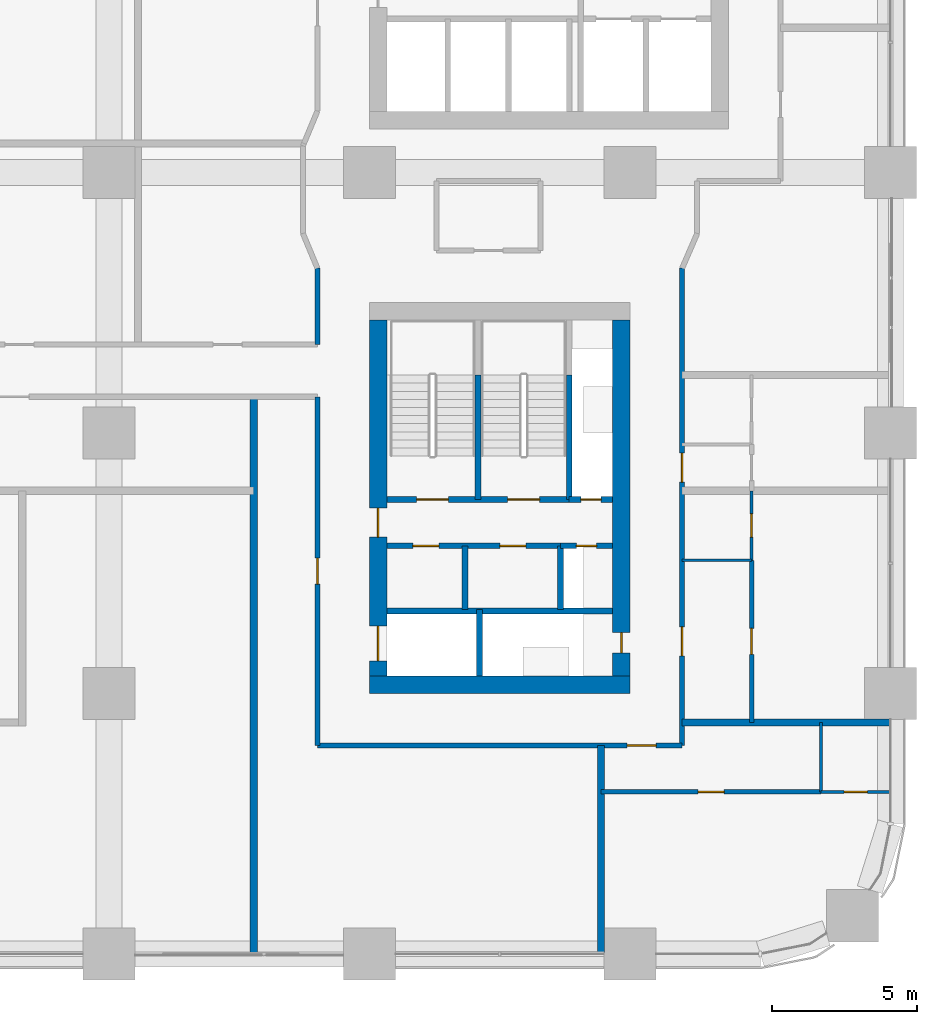
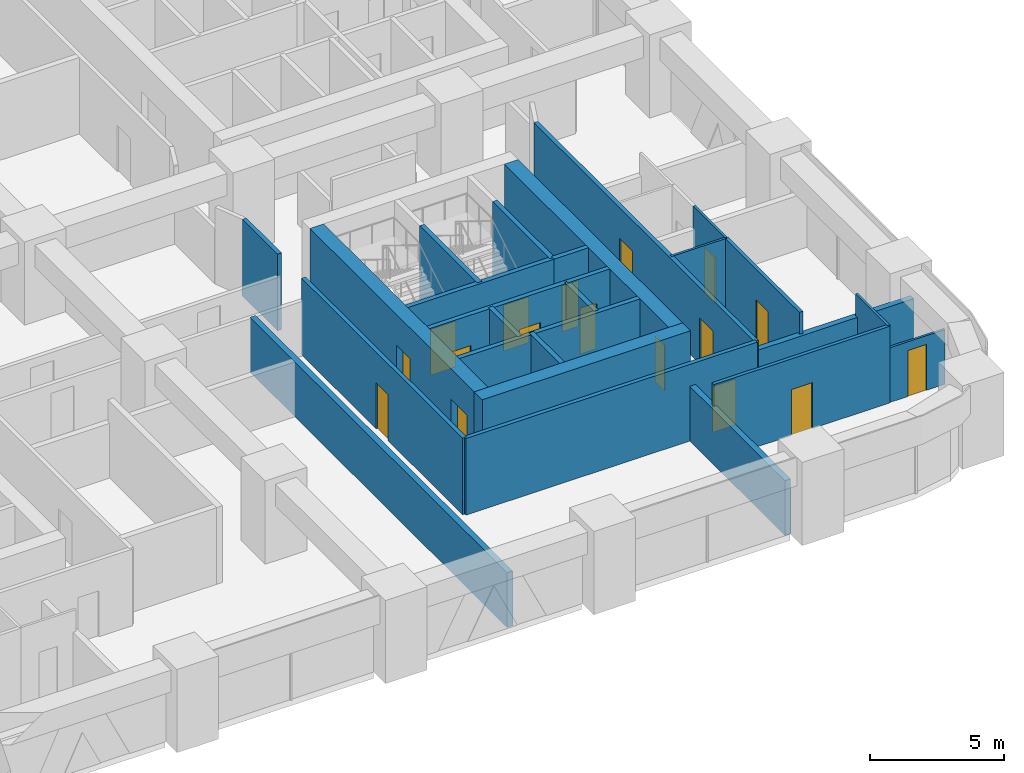
# One storey, part 15 of 23: 26 walls, 17 doors, 17 openings.
"""IFC4 building model written with IfcOpenShell, lengths in metres."""

from ifc_helpers import new_model, si_unit, direction, frame, frame_2d, origin, place, context, subcontext, project, spatial, rectangle, extrude, material, layer, layer_set, type_object, element, fill, save


model = new_model("IFC4")

# Units and contexts
model_context = context("Model", 3, precision=1e-05, world=origin(), true_north=direction((0.0, 1.0)))
body_context = subcontext(model_context, "Body", "Model", "MODEL_VIEW")
ifc_project = project(units=[si_unit("LENGTHUNIT", "METRE"), si_unit("AREAUNIT", "SQUARE_METRE"), si_unit("VOLUMEUNIT", "CUBIC_METRE"), si_unit("PLANEANGLEUNIT", "RADIAN"), si_unit("MASSUNIT", "GRAM", prefix="KILO")], contexts=[model_context])

# Site, building, storey
site_placement = place(None, origin())
site = spatial("IfcSite", under=ifc_project, at=site_placement, CompositionType="ELEMENT")
building_placement = place(site_placement, origin())
building = spatial("IfcBuilding", under=site, at=building_placement, Name="Tessera Arch", CompositionType="ELEMENT")
storey_placement = place(building_placement, frame((0.0, 0.0, 34.800048828125)))
storey = spatial("IfcBuildingStorey", under=building, at=storey_placement, Name="L06", CompositionType="ELEMENT", Elevation=34.800048828125)

# Wall
ifc_material_1 = material(Name="Gypsum board on steel stud", Category="steel")
ifc_layer_1 = layer(ifc_material_1, 0.125)
ifc_layer_set_1 = layer_set([ifc_layer_1], Name="Core partition 125 EI 60")
wall_type_1 = type_object("IfcWallType", Name="Core partition 125 EI 60", PredefinedType="PARTITIONING", material=ifc_layer_set_1)
wall_1_placement = place(storey_placement, frame((39.300048828125, 11.89990234375, 0.0), z_axis=(0.0, 0.0, 1.0), x_axis=(0.0, 1.0, 0.0)))
element("IfcWall", 1, at=wall_1_placement, inside=storey, type_object=wall_type_1, Name="L06 C3 partition wall 1", PredefinedType="PARTITIONING", context=body_context, shape_type="SweptSolid", body=[
    extrude(rectangle(XDim=2.2001953125, YDim=0.199951171875, at=frame_2d((1.10009765625, 0.0))), origin(), (0.0, 0.0, 1.0), 3.5),
])

# Wall, openings, doors
wall_2_placement = place(storey_placement, frame((36.60009765625, 14.10009765625, 0.0), z_axis=(0.0, 0.0, 1.0), x_axis=(1.0, 0.0, 0.0)))
wall_2 = element("IfcWall", 2, at=wall_2_placement, inside=storey, type_object=wall_type_1, Name="L06 C3 partition wall 9", PredefinedType="PARTITIONING", context=body_context, shape_type="SweptSolid", body=[
    extrude(rectangle(XDim=6.0, YDim=0.199951171875, at=frame_2d((3.0, 0.0))), origin(), (0.0, 0.0, 1.0), 3.5),
])
opening_1_placement = place(wall_2_placement, frame((0.89990234375, 0.0, 0.0)))
opening_1 = element("IfcOpeningElement", 3, at=opening_1_placement, cuts=wall_2, Name="Opening L06-C38", PredefinedType="OPENING", context=body_context, shape_type="SweptSolid", body=[
    extrude(rectangle(XDim=0.89990234375, YDim=2.10009765625, at=frame_2d((0.449951171875, 1.050048828125))), frame((0.0, 0.10986328125, 0.0), z_axis=(0.0, -1.0, 0.0), x_axis=(1.0, 0.0, 0.0)), (0.0, 0.0, 1.0), 0.219970703125),
])
opening_2_placement = place(wall_2_placement, frame((3.89990234375, 0.0, 0.0)))
opening_2 = element("IfcOpeningElement", 4, at=opening_2_placement, cuts=wall_2, Name="Opening L06-C39", PredefinedType="OPENING", context=body_context, shape_type="SweptSolid", body=[
    extrude(rectangle(XDim=0.89990234375, YDim=2.10009765625, at=frame_2d((0.449951171875, 1.050048828125))), frame((0.0, 0.10986328125, 0.0), z_axis=(0.0, -1.0, 0.0), x_axis=(1.0, 0.0, 0.0)), (0.0, 0.0, 1.0), 0.219970703125),
])
ifc_material_2 = material(Name="Steel door leaf", Category="steel")
door_type_1 = type_object("IfcDoorType", Name="Store door FD30S 900 x 2100", OperationType="SINGLE_SWING_LEFT", PredefinedType="DOOR", material=ifc_material_2)
door_1_placement = place(opening_1_placement, origin())
door_1 = element("IfcDoor", 5, at=door_1_placement, inside=storey, type_object=door_type_1, Name="L06 C3 door 8 C38 type D09", OperationType="SINGLE_SWING_LEFT", OverallHeight=2.10009765625, OverallWidth=0.89990234375, PredefinedType="DOOR", context=body_context, shape_type="SweptSolid", body=[
    extrude(rectangle(XDim=0.89990234375, YDim=2.10009765625, at=frame_2d((0.449951171875, 1.050048828125))), frame((0.0, 0.02490234375, 0.0), z_axis=(0.0, -1.0, 0.0), x_axis=(1.0, 0.0, 0.0)), (0.0, 0.0, 1.0), 0.050048828125),
])
fill(opening_1, door_1)
door_2_placement = place(opening_2_placement, origin())
door_2 = element("IfcDoor", 6, at=door_2_placement, inside=storey, type_object=door_type_1, Name="L06 C3 door 9 C39 type D09", OperationType="SINGLE_SWING_RIGHT", OverallHeight=2.10009765625, OverallWidth=0.89990234375, PredefinedType="DOOR", context=body_context, shape_type="SweptSolid", body=[
    extrude(rectangle(XDim=0.89990234375, YDim=2.10009765625, at=frame_2d((0.449951171875, 1.050048828125))), frame((0.0, 0.02490234375, 0.0), z_axis=(0.0, -1.0, 0.0), x_axis=(1.0, 0.0, 0.0)), (0.0, 0.0, 1.0), 0.050048828125),
])
fill(opening_2, door_2)

# Wall
ifc_material_3 = material(Name="Concrete C70/85", Category="concrete")
ifc_layer_2 = layer(ifc_material_3, 0.60009765625)
ifc_layer_set_2 = layer_set([ifc_layer_2], Name="Core shell wall 600 C70-85")
wall_type_2 = type_object("IfcWallType", Name="Core shell wall 600 C70-85", PredefinedType="SHEAR", material=ifc_layer_set_2)
wall_3_placement = place(storey_placement, frame((36.0, 9.300048828125, 0.0), z_axis=(0.0, 0.0, 1.0), x_axis=(1.0, 0.0, 0.0)))
element("IfcWall", 7, at=wall_3_placement, inside=storey, type_object=wall_type_2, Name="L06 C3 core wall S", PredefinedType="SHEAR", context=body_context, shape_type="SweptSolid", body=[
    extrude(rectangle(XDim=9.0, YDim=0.60009765625, at=frame_2d((4.5, 0.0))), origin(), (0.0, 0.0, 1.0), 3.5),
])

# Wall, openings, doors
wall_4_placement = place(storey_placement, frame((36.300048828125, 9.60009765625, 0.0), z_axis=(0.0, 0.0, 1.0), x_axis=(0.0, 1.0, 0.0)))
wall_4 = element("IfcWall", 8, at=wall_4_placement, inside=storey, type_object=wall_type_2, Name="L06 C3 core wall W", PredefinedType="SHEAR", context=body_context, shape_type="SweptSolid", body=[
    extrude(rectangle(XDim=12.2998046875, YDim=0.60009765625, at=frame_2d((6.14990234375, 0.0))), origin(), (0.0, 0.0, 1.0), 3.5),
])
opening_3_placement = place(wall_4_placement, frame((0.52490234375, 0.0, 0.0)))
opening_3 = element("IfcOpeningElement", 9, at=opening_3_placement, cuts=wall_4, Name="Opening L06-C31", PredefinedType="OPENING", context=body_context, shape_type="SweptSolid", body=[
    extrude(rectangle(XDim=1.199951171875, YDim=2.10009765625, at=frame_2d((0.60009765625, 1.050048828125))), frame((0.0, 0.31005859375, 0.0), z_axis=(0.0, -1.0, 0.0), x_axis=(1.0, 0.0, 0.0)), (0.0, 0.0, 1.0), 0.6201171875),
])
opening_4_placement = place(wall_4_placement, frame((4.800048828125, 0.0, 0.0)))
opening_4 = element("IfcOpeningElement", 10, at=opening_4_placement, cuts=wall_4, Name="Opening L06-C37", PredefinedType="OPENING", context=body_context, shape_type="SweptSolid", body=[
    extrude(rectangle(XDim=1.0, YDim=2.10009765625, at=frame_2d((0.5, 1.050048828125))), frame((0.0, 0.31005859375, 0.0), z_axis=(0.0, -1.0, 0.0), x_axis=(1.0, 0.0, 0.0)), (0.0, 0.0, 1.0), 0.6201171875),
])
ifc_material_4 = material(Name="Steel door leaf", Category="steel")
door_type_2 = type_object("IfcDoorType", Name="Corridor door FD60 1000 x 2100", OperationType="SINGLE_SWING_LEFT", PredefinedType="DOOR", material=ifc_material_4)
door_3_placement = place(opening_4_placement, origin())
door_3 = element("IfcDoor", 11, at=door_3_placement, inside=storey, type_object=door_type_2, Name="L06 C3 door 7 C37 type D12", OperationType="SINGLE_SWING_LEFT", OverallHeight=2.10009765625, OverallWidth=1.0, PredefinedType="DOOR", context=body_context, shape_type="SweptSolid", body=[
    extrude(rectangle(XDim=1.0, YDim=2.10009765625, at=frame_2d((0.5, 1.050048828125))), frame((0.0, 0.02490234375, 0.0), z_axis=(0.0, -1.0, 0.0), x_axis=(1.0, 0.0, 0.0)), (0.0, 0.0, 1.0), 0.050048828125),
])
fill(opening_4, door_3)
ifc_material_5 = material(Name="Stainless steel AISI 304", Category="steel")
door_type_3 = type_object("IfcDoorType", Name="Sliding landing door 1200 x 2100", OperationType="SLIDING_TO_LEFT", PredefinedType="DOOR", material=ifc_material_5)
door_4_placement = place(opening_3_placement, origin())
door_4 = element("IfcDoor", 12, at=door_4_placement, inside=storey, type_object=door_type_3, Name="L06 SV1 lift landing door C31 type LD", OperationType="SLIDING_TO_LEFT", OverallHeight=2.10009765625, OverallWidth=1.199951171875, PredefinedType="DOOR", context=body_context, shape_type="SweptSolid", body=[
    extrude(rectangle(XDim=1.199951171875, YDim=2.10009765625, at=frame_2d((0.60009765625, 1.050048828125))), frame((0.0, 0.02490234375, 0.0), z_axis=(0.0, -1.0, 0.0), x_axis=(1.0, 0.0, 0.0)), (0.0, 0.0, 1.0), 0.050048828125),
])
fill(opening_3, door_4)

# Wall, opening, door
wall_5_placement = place(storey_placement, frame((44.699951171875, 9.60009765625, 0.0), z_axis=(0.0, 0.0, 1.0), x_axis=(0.0, 1.0, 0.0)))
wall_5 = element("IfcWall", 13, at=wall_5_placement, inside=storey, type_object=wall_type_2, Name="L06 C3 core wall E", PredefinedType="SHEAR", context=body_context, shape_type="SweptSolid", body=[
    extrude(rectangle(XDim=12.2998046875, YDim=0.60009765625, at=frame_2d((6.14990234375, 0.0))), origin(), (0.0, 0.0, 1.0), 3.5),
])
opening_5_placement = place(wall_5_placement, frame((0.800048828125, 0.0, 0.0)))
opening_5 = element("IfcOpeningElement", 14, at=opening_5_placement, cuts=wall_5, Name="Opening L06-C36", PredefinedType="OPENING", context=body_context, shape_type="SweptSolid", body=[
    extrude(rectangle(XDim=0.699951171875, YDim=2.10009765625, at=frame_2d((0.35009765625, 1.050048828125))), frame((0.0, 0.31005859375, 0.0), z_axis=(0.0, -1.0, 0.0), x_axis=(1.0, 0.0, 0.0)), (0.0, 0.0, 1.0), 0.6201171875),
])
ifc_material_6 = material(Name="Steel door leaf", Category="steel")
door_type_4 = type_object("IfcDoorType", Name="Service shaft door FD60 700 x 2100", OperationType="SINGLE_SWING_LEFT", PredefinedType="DOOR", material=ifc_material_6)
door_5_placement = place(opening_5_placement, origin())
door_5 = element("IfcDoor", 15, at=door_5_placement, inside=storey, type_object=door_type_4, Name="L06 C3 door 6 C36 type D07", OperationType="SINGLE_SWING_LEFT", OverallHeight=2.10009765625, OverallWidth=0.699951171875, PredefinedType="DOOR", context=body_context, shape_type="SweptSolid", body=[
    extrude(rectangle(XDim=0.699951171875, YDim=2.10009765625, at=frame_2d((0.35009765625, 1.050048828125))), frame((0.0, 0.02490234375, 0.0), z_axis=(0.0, -1.0, 0.0), x_axis=(1.0, 0.0, 0.0)), (0.0, 0.0, 1.0), 0.050048828125),
])
fill(opening_5, door_5)

ifc_material_7 = material(Name="Gypsum board on deep steel stud with mineral wool", Category="steel")
ifc_layer_3 = layer(ifc_material_7, 0.175048828125)
ifc_layer_set_3 = layer_set([ifc_layer_3], Name="Corridor wall 175 EI 60")
wall_type_3 = type_object("IfcWallType", Name="Corridor wall 175 EI 60", PredefinedType="PARTITIONING", material=ifc_layer_set_3)
wall_6_placement = place(storey_placement, frame((34.199951171875, 7.199951171875, 0.0), z_axis=(0.0, 0.0, 1.0), x_axis=(1.0, 0.0, 0.0)))
wall_6 = element("IfcWall", 16, at=wall_6_placement, inside=storey, type_object=wall_type_3, Name="L06 partition 2", PredefinedType="PARTITIONING", context=body_context, shape_type="SweptSolid", body=[
    extrude(rectangle(XDim=12.60009765625, YDim=0.175048828125, at=frame_2d((6.300048828125, 0.0))), origin(), (0.0, 0.0, 1.0), 3.5),
])
opening_6_placement = place(wall_6_placement, frame((10.699951171875, 0.0, 0.0)))
opening_6 = element("IfcOpeningElement", 17, at=opening_6_placement, cuts=wall_6, Name="Opening L06-D004", PredefinedType="OPENING", context=body_context, shape_type="SweptSolid", body=[
    extrude(rectangle(XDim=1.0, YDim=2.10009765625, at=frame_2d((0.5, 1.050048828125))), frame((0.0, 0.097412109375, 0.0), z_axis=(0.0, -1.0, 0.0), x_axis=(1.0, 0.0, 0.0)), (0.0, 0.0, 1.0), 0.195068359375),
])
ifc_material_8 = material(Name="Fire-rated door leaf")
door_type_5 = type_object("IfcDoorType", Name="Entrance door FD30S 1000 x 2100", OperationType="SINGLE_SWING_LEFT", PredefinedType="DOOR", material=ifc_material_8)
door_6_placement = place(opening_6_placement, origin())
door_6 = element("IfcDoor", 18, at=door_6_placement, inside=storey, type_object=door_type_5, Name="L06 door D004 type D03", OperationType="SINGLE_SWING_LEFT", OverallHeight=2.10009765625, OverallWidth=1.0, PredefinedType="DOOR", context=body_context, shape_type="SweptSolid", body=[
    extrude(rectangle(XDim=1.0, YDim=2.10009765625, at=frame_2d((0.5, 1.050048828125))), frame((0.0, 0.02490234375, 0.0), z_axis=(0.0, -1.0, 0.0), x_axis=(1.0, 0.0, 0.0)), (0.0, 0.0, 1.0), 0.050048828125),
])
fill(opening_6, door_6)

wall_7_placement = place(storey_placement, frame((34.199951171875, 7.199951171875, 0.0), z_axis=(0.0, 0.0, 1.0), x_axis=(0.0, 1.0, 0.0)))
wall_7 = element("IfcWall", 19, at=wall_7_placement, inside=storey, type_object=wall_type_3, Name="L06 partition 26", PredefinedType="PARTITIONING", context=body_context, shape_type="SweptSolid", body=[
    extrude(rectangle(XDim=12.050048828125, YDim=0.175048828125, at=frame_2d((6.02490234375, 0.0))), origin(), (0.0, 0.0, 1.0), 3.5),
])
opening_7_placement = place(wall_7_placement, frame((5.574951171875, 0.0, 0.0)))
opening_7 = element("IfcOpeningElement", 20, at=opening_7_placement, cuts=wall_7, Name="Opening L06-D007", PredefinedType="OPENING", context=body_context, shape_type="SweptSolid", body=[
    extrude(rectangle(XDim=0.89990234375, YDim=2.10009765625, at=frame_2d((0.449951171875, 1.050048828125))), frame((0.0, 0.097412109375, 0.0), z_axis=(0.0, -1.0, 0.0), x_axis=(1.0, 0.0, 0.0)), (0.0, 0.0, 1.0), 0.195068359375),
])
ifc_material_9 = material(Name="Timber door leaf", Category="wood")
door_type_6 = type_object("IfcDoorType", Name="Room door 900 x 2100", OperationType="SINGLE_SWING_LEFT", PredefinedType="DOOR", material=ifc_material_9)
door_7_placement = place(opening_7_placement, origin())
door_7 = element("IfcDoor", 21, at=door_7_placement, inside=storey, type_object=door_type_6, Name="L06 door D007 type D01", OperationType="SINGLE_SWING_RIGHT", OverallHeight=2.10009765625, OverallWidth=0.89990234375, PredefinedType="DOOR", context=body_context, shape_type="SweptSolid", body=[
    extrude(rectangle(XDim=0.89990234375, YDim=2.10009765625, at=frame_2d((0.449951171875, 1.050048828125))), frame((0.0, 0.02490234375, 0.0), z_axis=(0.0, -1.0, 0.0), x_axis=(1.0, 0.0, 0.0)), (0.0, 0.0, 1.0), 0.050048828125),
])
fill(opening_7, door_7)

# Wall
wall_8_placement = place(storey_placement, frame((34.199951171875, 21.050048828125, 0.0), z_axis=(0.0, 0.0, 1.0), x_axis=(0.0, 1.0, 0.0)))
element("IfcWall", 22, at=wall_8_placement, inside=storey, type_object=wall_type_3, Name="L06 partition 27", PredefinedType="PARTITIONING", context=body_context, shape_type="SweptSolid", body=[
    extrude(rectangle(XDim=2.639892578125, YDim=0.175048828125, at=frame_2d((1.31982421875, 0.0))), origin(), (0.0, 0.0, 1.0), 3.5),
])

# Wall, openings, doors
wall_9_placement = place(storey_placement, frame((46.800048828125, 7.199951171875, 0.0), z_axis=(0.0, 0.0, 1.0), x_axis=(0.0, 1.0, 0.0)))
wall_9 = element("IfcWall", 23, at=wall_9_placement, inside=storey, type_object=wall_type_3, Name="L06 partition 32", PredefinedType="PARTITIONING", context=body_context, shape_type="SweptSolid", body=[
    extrude(rectangle(XDim=16.489990234375, YDim=0.175048828125, at=frame_2d((8.2451171875, 0.0))), origin(), (0.0, 0.0, 1.0), 3.5),
])
opening_8_placement = place(wall_9_placement, frame((3.10009765625, 0.0, 0.0)))
opening_8 = element("IfcOpeningElement", 24, at=opening_8_placement, cuts=wall_9, Name="Opening L06-D013", PredefinedType="OPENING", context=body_context, shape_type="SweptSolid", body=[
    extrude(rectangle(XDim=1.0, YDim=2.10009765625, at=frame_2d((0.5, 1.050048828125))), frame((0.0, 0.097412109375, 0.0), z_axis=(0.0, -1.0, 0.0), x_axis=(1.0, 0.0, 0.0)), (0.0, 0.0, 1.0), 0.195068359375),
])
opening_9_placement = place(wall_9_placement, frame((9.10009765625, 0.0, 0.0)))
opening_9 = element("IfcOpeningElement", 25, at=opening_9_placement, cuts=wall_9, Name="Opening L06-D020", PredefinedType="OPENING", context=body_context, shape_type="SweptSolid", body=[
    extrude(rectangle(XDim=1.0, YDim=2.10009765625, at=frame_2d((0.5, 1.050048828125))), frame((0.0, 0.097412109375, 0.0), z_axis=(0.0, -1.0, 0.0), x_axis=(1.0, 0.0, 0.0)), (0.0, 0.0, 1.0), 0.195068359375),
])
door_8_placement = place(opening_8_placement, origin())
door_8 = element("IfcDoor", 26, at=door_8_placement, inside=storey, type_object=door_type_5, Name="L06 door D013 type D03", OperationType="SINGLE_SWING_LEFT", OverallHeight=2.10009765625, OverallWidth=1.0, PredefinedType="DOOR", context=body_context, shape_type="SweptSolid", body=[
    extrude(rectangle(XDim=1.0, YDim=2.10009765625, at=frame_2d((0.5, 1.050048828125))), frame((0.0, 0.02490234375, 0.0), z_axis=(0.0, -1.0, 0.0), x_axis=(1.0, 0.0, 0.0)), (0.0, 0.0, 1.0), 0.050048828125),
])
fill(opening_8, door_8)
door_9_placement = place(opening_9_placement, origin())
door_9 = element("IfcDoor", 27, at=door_9_placement, inside=storey, type_object=door_type_5, Name="L06 door D020 type D03", OperationType="SINGLE_SWING_RIGHT", OverallHeight=2.10009765625, OverallWidth=1.0, PredefinedType="DOOR", context=body_context, shape_type="SweptSolid", body=[
    extrude(rectangle(XDim=1.0, YDim=2.10009765625, at=frame_2d((0.5, 1.050048828125))), frame((0.0, 0.02490234375, 0.0), z_axis=(0.0, -1.0, 0.0), x_axis=(1.0, 0.0, 0.0)), (0.0, 0.0, 1.0), 0.050048828125),
])
fill(opening_9, door_9)

# Wall, opening, door
ifc_material_10 = material(Name="Gypsum board on steel stud", Category="steel")
ifc_layer_4 = layer(ifc_material_10, 0.14990234375)
ifc_layer_set_4 = layer_set([ifc_layer_4], Name="Partition 150")
wall_type_4 = type_object("IfcWallType", Name="Partition 150", PredefinedType="PARTITIONING", material=ifc_layer_set_4)
wall_10_placement = place(storey_placement, frame((44.0, 5.60009765625, 0.0), z_axis=(0.0, 0.0, 1.0), x_axis=(1.0, 0.0, 0.0)))
wall_10 = element("IfcWall", 28, at=wall_10_placement, inside=storey, type_object=wall_type_4, Name="L06 partition 36", PredefinedType="PARTITIONING", context=body_context, shape_type="SweptSolid", body=[
    extrude(rectangle(XDim=7.60009765625, YDim=0.14990234375, at=frame_2d((3.800048828125, 0.0))), origin(), (0.0, 0.0, 1.0), 3.5),
])
opening_10_placement = place(wall_10_placement, frame((3.35009765625, 0.0, 0.0)))
opening_10 = element("IfcOpeningElement", 29, at=opening_10_placement, cuts=wall_10, Name="Opening L06-D005", PredefinedType="OPENING", context=body_context, shape_type="SweptSolid", body=[
    extrude(rectangle(XDim=0.89990234375, YDim=2.10009765625, at=frame_2d((0.449951171875, 1.050048828125))), frame((0.0, 0.0849609375, 0.0), z_axis=(0.0, -1.0, 0.0), x_axis=(1.0, 0.0, 0.0)), (0.0, 0.0, 1.0), 0.169921875),
])
door_10_placement = place(opening_10_placement, origin())
door_10 = element("IfcDoor", 30, at=door_10_placement, inside=storey, type_object=door_type_6, Name="L06 door D005 type D01", OperationType="SINGLE_SWING_RIGHT", OverallHeight=2.10009765625, OverallWidth=0.89990234375, PredefinedType="DOOR", context=body_context, shape_type="SweptSolid", body=[
    extrude(rectangle(XDim=0.89990234375, YDim=2.10009765625, at=frame_2d((0.449951171875, 1.050048828125))), frame((0.0, 0.02490234375, 0.0), z_axis=(0.0, -1.0, 0.0), x_axis=(1.0, 0.0, 0.0)), (0.0, 0.0, 1.0), 0.050048828125),
])
fill(opening_10, door_10)

wall_11_placement = place(storey_placement, frame((49.199951171875, 8.0, 0.0), z_axis=(0.0, 0.0, 1.0), x_axis=(0.0, 1.0, 0.0)))
wall_11 = element("IfcWall", 31, at=wall_11_placement, inside=storey, type_object=wall_type_4, Name="L06 partition 40", PredefinedType="PARTITIONING", context=body_context, shape_type="SweptSolid", body=[
    extrude(rectangle(XDim=5.60009765625, YDim=0.14990234375, at=frame_2d((2.800048828125, 0.0))), origin(), (0.0, 0.0, 1.0), 3.5),
])
opening_11_placement = place(wall_11_placement, frame((2.35009765625, 0.0, 0.0)))
opening_11 = element("IfcOpeningElement", 32, at=opening_11_placement, cuts=wall_11, Name="Opening L06-D014", PredefinedType="OPENING", context=body_context, shape_type="SweptSolid", body=[
    extrude(rectangle(XDim=0.89990234375, YDim=2.10009765625, at=frame_2d((0.449951171875, 1.050048828125))), frame((0.0, 0.0849609375, 0.0), z_axis=(0.0, -1.0, 0.0), x_axis=(1.0, 0.0, 0.0)), (0.0, 0.0, 1.0), 0.169921875),
])
door_11_placement = place(opening_11_placement, origin())
door_11 = element("IfcDoor", 33, at=door_11_placement, inside=storey, type_object=door_type_6, Name="L06 door D014 type D01", OperationType="SINGLE_SWING_RIGHT", OverallHeight=2.10009765625, OverallWidth=0.89990234375, PredefinedType="DOOR", context=body_context, shape_type="SweptSolid", body=[
    extrude(rectangle(XDim=0.89990234375, YDim=2.10009765625, at=frame_2d((0.449951171875, 1.050048828125))), frame((0.0, 0.02490234375, 0.0), z_axis=(0.0, -1.0, 0.0), x_axis=(1.0, 0.0, 0.0)), (0.0, 0.0, 1.0), 0.050048828125),
])
fill(opening_11, door_11)

# Walls
ifc_material_11 = material(Name="Double gypsum board on twin steel stud with acoustic mineral wool", Category="steel")
ifc_layer_5 = layer(ifc_material_11, 0.25)
ifc_layer_set_5 = layer_set([ifc_layer_5], Name="Party wall 250 EI 60")
wall_type_5 = type_object("IfcWallType", Name="Party wall 250 EI 60", PredefinedType="PARTITIONING", material=ifc_layer_set_5)
wall_12_placement = place(storey_placement, frame((46.800048828125, 8.0, 0.0), z_axis=(0.0, 0.0, 1.0), x_axis=(1.0, 0.0, 0.0)))
element("IfcWall", 34, at=wall_12_placement, inside=storey, type_object=wall_type_5, Name="L06 partition 44", PredefinedType="PARTITIONING", context=body_context, shape_type="SweptSolid", body=[
    extrude(rectangle(XDim=7.199951171875, YDim=0.25, at=frame_2d((3.60009765625, 0.0))), origin(), (0.0, 0.0, 1.0), 2.5),
])
wall_13_placement = place(storey_placement, frame((32.0, 0.0, 0.0), z_axis=(0.0, 0.0, 1.0), x_axis=(0.0, 1.0, 0.0)))
element("IfcWall", 35, at=wall_13_placement, inside=storey, type_object=wall_type_5, Name="L06 partition 63", PredefinedType="PARTITIONING", context=body_context, shape_type="SweptSolid", body=[
    extrude(rectangle(XDim=19.25, YDim=0.25, at=frame_2d((9.625, 0.0))), origin(), (0.0, 0.0, 1.0), 2.5),
])
wall_14_placement = place(storey_placement, frame((44.0, 0.0, 0.0), z_axis=(0.0, 0.0, 1.0), x_axis=(0.0, 1.0, 0.0)))
element("IfcWall", 36, at=wall_14_placement, inside=storey, type_object=wall_type_5, Name="L06 partition 67", PredefinedType="PARTITIONING", context=body_context, shape_type="SweptSolid", body=[
    extrude(rectangle(XDim=7.199951171875, YDim=0.25, at=frame_2d((3.60009765625, 0.0))), origin(), (0.0, 0.0, 1.0), 2.5),
])
ifc_material_12 = material(Name="Concrete C40/50", Category="concrete")
ifc_layer_6 = layer(ifc_material_12, 0.199951171875)
ifc_layer_set_6 = layer_set([ifc_layer_6], Name="Shaft wall 200 EI 120")
wall_type_6 = type_object("IfcWallType", Name="Shaft wall 200 EI 120", PredefinedType="SOLIDWALL", material=ifc_layer_set_6)
wall_15_placement = place(storey_placement, frame((39.800048828125, 9.60009765625, 0.0), z_axis=(0.0, 0.0, 1.0), x_axis=(0.0, 1.0, 0.0)))
element("IfcWall", 37, at=wall_15_placement, inside=storey, type_object=wall_type_6, Name="L06 C3 shaft wall 4", PredefinedType="SOLIDWALL", context=body_context, shape_type="SweptSolid", body=[
    extrude(rectangle(XDim=2.2998046875, YDim=0.199951171875, at=frame_2d((1.14990234375, 0.0))), origin(), (0.0, 0.0, 1.0), 3.5),
])
wall_16_placement = place(storey_placement, frame((42.60009765625, 11.89990234375, 0.0), z_axis=(0.0, 0.0, 1.0), x_axis=(0.0, 1.0, 0.0)))
element("IfcWall", 38, at=wall_16_placement, inside=storey, type_object=wall_type_6, Name="L06 C3 shaft wall 5", PredefinedType="SOLIDWALL", context=body_context, shape_type="SweptSolid", body=[
    extrude(rectangle(XDim=2.2001953125, YDim=0.199951171875, at=frame_2d((1.10009765625, 0.0))), origin(), (0.0, 0.0, 1.0), 3.5),
])
wall_17_placement = place(storey_placement, frame((36.60009765625, 11.85009765625, 0.0), z_axis=(0.0, 0.0, 1.0), x_axis=(1.0, 0.0, 0.0)))
element("IfcWall", 39, at=wall_17_placement, inside=storey, type_object=wall_type_6, Name="L06 C3 shaft wall 8", PredefinedType="SOLIDWALL", context=body_context, shape_type="SweptSolid", body=[
    extrude(rectangle(XDim=7.7998046875, YDim=0.199951171875, at=frame_2d((3.89990234375, 0.0))), origin(), (0.0, 0.0, 1.0), 3.5),
])

# Wall, opening, door
wall_18_placement = place(storey_placement, frame((42.60009765625, 14.10009765625, 0.0), z_axis=(0.0, 0.0, 1.0), x_axis=(1.0, 0.0, 0.0)))
wall_18 = element("IfcWall", 40, at=wall_18_placement, inside=storey, type_object=wall_type_6, Name="L06 C3 shaft wall 10", PredefinedType="SOLIDWALL", context=body_context, shape_type="SweptSolid", body=[
    extrude(rectangle(XDim=1.7998046875, YDim=0.199951171875, at=frame_2d((0.89990234375, 0.0))), origin(), (0.0, 0.0, 1.0), 3.5),
])
opening_12_placement = place(wall_18_placement, frame((0.550048828125, 0.0, 0.0)))
opening_12 = element("IfcOpeningElement", 41, at=opening_12_placement, cuts=wall_18, Name="Opening L06-C35", PredefinedType="OPENING", context=body_context, shape_type="SweptSolid", body=[
    extrude(rectangle(XDim=0.699951171875, YDim=2.10009765625, at=frame_2d((0.35009765625, 1.050048828125))), frame((0.0, 0.10986328125, 0.0), z_axis=(0.0, -1.0, 0.0), x_axis=(1.0, 0.0, 0.0)), (0.0, 0.0, 1.0), 0.219970703125),
])
door_12_placement = place(opening_12_placement, origin())
door_12 = element("IfcDoor", 42, at=door_12_placement, inside=storey, type_object=door_type_4, Name="L06 C3 door 5 C35 type D07", OperationType="SINGLE_SWING_RIGHT", OverallHeight=2.10009765625, OverallWidth=0.699951171875, PredefinedType="DOOR", context=body_context, shape_type="SweptSolid", body=[
    extrude(rectangle(XDim=0.699951171875, YDim=2.10009765625, at=frame_2d((0.35009765625, 1.050048828125))), frame((0.0, 0.02490234375, 0.0), z_axis=(0.0, -1.0, 0.0), x_axis=(1.0, 0.0, 0.0)), (0.0, 0.0, 1.0), 0.050048828125),
])
fill(opening_12, door_12)

wall_19_placement = place(storey_placement, frame((42.89990234375, 15.699951171875, 0.0), z_axis=(0.0, 0.0, 1.0), x_axis=(1.0, 0.0, 0.0)))
wall_19 = element("IfcWall", 43, at=wall_19_placement, inside=storey, type_object=wall_type_6, Name="L06 C3 shaft wall 11", PredefinedType="SOLIDWALL", context=body_context, shape_type="SweptSolid", body=[
    extrude(rectangle(XDim=1.5, YDim=0.199951171875, at=frame_2d((0.75, 0.0))), origin(), (0.0, 0.0, 1.0), 3.5),
])
opening_13_placement = place(wall_19_placement, frame((0.39990234375, 0.0, 0.0)))
opening_13 = element("IfcOpeningElement", 44, at=opening_13_placement, cuts=wall_19, Name="Opening L06-C34", PredefinedType="OPENING", context=body_context, shape_type="SweptSolid", body=[
    extrude(rectangle(XDim=0.699951171875, YDim=2.10009765625, at=frame_2d((0.35009765625, 1.050048828125))), frame((0.0, 0.10986328125, 0.0), z_axis=(0.0, -1.0, 0.0), x_axis=(1.0, 0.0, 0.0)), (0.0, 0.0, 1.0), 0.219970703125),
])
door_13_placement = place(opening_13_placement, origin())
door_13 = element("IfcDoor", 45, at=door_13_placement, inside=storey, type_object=door_type_4, Name="L06 C3 door 4 C34 type D07", OperationType="SINGLE_SWING_LEFT", OverallHeight=2.10009765625, OverallWidth=0.699951171875, PredefinedType="DOOR", context=body_context, shape_type="SweptSolid", body=[
    extrude(rectangle(XDim=0.699951171875, YDim=2.10009765625, at=frame_2d((0.35009765625, 1.050048828125))), frame((0.0, 0.02490234375, 0.0), z_axis=(0.0, -1.0, 0.0), x_axis=(1.0, 0.0, 0.0)), (0.0, 0.0, 1.0), 0.050048828125),
])
fill(opening_13, door_13)

# Walls
ifc_material_13 = material(Name="Concrete C40/50", Category="concrete")
ifc_layer_7 = layer(ifc_material_13, 0.199951171875)
ifc_layer_set_7 = layer_set([ifc_layer_7], Name="Stair well wall 200 REI 180")
wall_type_7 = type_object("IfcWallType", Name="Stair well wall 200 REI 180", PredefinedType="SOLIDWALL", material=ifc_layer_set_7)
for number, where, z_axis, x_axis, name in (
    (46, (39.75, 15.699951171875, 0.0), (0.0, 0.0, 1.0), (0.0, 1.0, 0.0), "L06 C3 shaft wall 2"),
    (47, (42.89990234375, 15.699951171875, 0.0), (0.0, 0.0, 1.0), (0.0, 1.0, 0.0), "L06 C3 shaft wall 6"),
):
    element("IfcWall", number, at=place(storey_placement, frame(where, z_axis=z_axis, x_axis=x_axis)), inside=storey, type_object=wall_type_7, Name=name, PredefinedType="SOLIDWALL", context=body_context, shape_type="SweptSolid", body=[
        extrude(rectangle(XDim=4.300048828125, YDim=0.199951171875, at=frame_2d((2.14990234375, 0.0))), origin(), (0.0, 0.0, 1.0), 3.5),
    ])

# Wall, openings, doors
wall_20_placement = place(storey_placement, frame((36.60009765625, 15.699951171875, 0.0), z_axis=(0.0, 0.0, 1.0), x_axis=(1.0, 0.0, 0.0)))
wall_20 = element("IfcWall", 48, at=wall_20_placement, inside=storey, type_object=wall_type_7, Name="L06 C3 shaft wall 12", PredefinedType="SOLIDWALL", context=body_context, shape_type="SweptSolid", body=[
    extrude(rectangle(XDim=6.2998046875, YDim=0.199951171875, at=frame_2d((3.14990234375, 0.0))), origin(), (0.0, 0.0, 1.0), 3.5),
])
opening_14_placement = place(wall_20_placement, frame((1.02490234375, 0.0, 0.0)))
opening_14 = element("IfcOpeningElement", 49, at=opening_14_placement, cuts=wall_20, Name="Opening L06-C32", PredefinedType="OPENING", context=body_context, shape_type="SweptSolid", body=[
    extrude(rectangle(XDim=1.10009765625, YDim=2.10009765625, at=frame_2d((0.550048828125, 1.050048828125))), frame((0.0, 0.10986328125, 0.0), z_axis=(0.0, -1.0, 0.0), x_axis=(1.0, 0.0, 0.0)), (0.0, 0.0, 1.0), 0.219970703125),
])
opening_15_placement = place(wall_20_placement, frame((4.175048828125, 0.0, 0.0)))
opening_15 = element("IfcOpeningElement", 50, at=opening_15_placement, cuts=wall_20, Name="Opening L06-C33", PredefinedType="OPENING", context=body_context, shape_type="SweptSolid", body=[
    extrude(rectangle(XDim=1.10009765625, YDim=2.10009765625, at=frame_2d((0.550048828125, 1.050048828125))), frame((0.0, 0.10986328125, 0.0), z_axis=(0.0, -1.0, 0.0), x_axis=(1.0, 0.0, 0.0)), (0.0, 0.0, 1.0), 0.219970703125),
])
ifc_material_14 = material(Name="Steel door leaf", Category="steel")
door_type_7 = type_object("IfcDoorType", Name="Stair door FD60 1100 x 2100", OperationType="SINGLE_SWING_LEFT", PredefinedType="DOOR", material=ifc_material_14)
door_14_placement = place(opening_14_placement, origin())
door_14 = element("IfcDoor", 51, at=door_14_placement, inside=storey, type_object=door_type_7, Name="L06 C3 door 2 C32 type D05", OperationType="SINGLE_SWING_LEFT", OverallHeight=2.10009765625, OverallWidth=1.10009765625, PredefinedType="DOOR", context=body_context, shape_type="SweptSolid", body=[
    extrude(rectangle(XDim=1.10009765625, YDim=2.10009765625, at=frame_2d((0.550048828125, 1.050048828125))), frame((0.0, 0.02490234375, 0.0), z_axis=(0.0, -1.0, 0.0), x_axis=(1.0, 0.0, 0.0)), (0.0, 0.0, 1.0), 0.050048828125),
])
fill(opening_14, door_14)
door_15_placement = place(opening_15_placement, origin())
door_15 = element("IfcDoor", 52, at=door_15_placement, inside=storey, type_object=door_type_7, Name="L06 C3 door 3 C33 type D05", OperationType="SINGLE_SWING_RIGHT", OverallHeight=2.10009765625, OverallWidth=1.10009765625, PredefinedType="DOOR", context=body_context, shape_type="SweptSolid", body=[
    extrude(rectangle(XDim=1.10009765625, YDim=2.10009765625, at=frame_2d((0.550048828125, 1.050048828125))), frame((0.0, 0.02490234375, 0.0), z_axis=(0.0, -1.0, 0.0), x_axis=(1.0, 0.0, 0.0)), (0.0, 0.0, 1.0), 0.050048828125),
])
fill(opening_15, door_15)

# Wall, opening, door
ifc_material_15 = material(Name="Moisture-resistant board on pre-plumbed steel stud", Category="steel")
ifc_layer_8 = layer(ifc_material_15, 0.10009765625)
ifc_layer_set_8 = layer_set([ifc_layer_8], Name="Wet wall 100")
wall_type_8 = type_object("IfcWallType", Name="Wet wall 100", PredefinedType="PARTITIONING", material=ifc_layer_set_8)
wall_21_placement = place(storey_placement, frame((51.60009765625, 5.60009765625, 0.0), z_axis=(0.0, 0.0, 1.0), x_axis=(1.0, 0.0, 0.0)))
wall_21 = element("IfcWall", 53, at=wall_21_placement, inside=storey, type_object=wall_type_8, Name="L06 partition 69", PredefinedType="PARTITIONING", context=body_context, shape_type="SweptSolid", body=[
    extrude(rectangle(XDim=2.39990234375, YDim=0.10009765625, at=frame_2d((1.199951171875, 0.0))), origin(), (0.0, 0.0, 1.0), 2.5),
])
opening_16_placement = place(wall_21_placement, frame((0.800048828125, 0.0, 0.0)))
opening_16 = element("IfcOpeningElement", 54, at=opening_16_placement, cuts=wall_21, Name="Opening L06-D006", PredefinedType="OPENING", context=body_context, shape_type="SweptSolid", body=[
    extrude(rectangle(XDim=0.800048828125, YDim=2.10009765625, at=frame_2d((0.39990234375, 1.050048828125))), frame((0.0, 0.06005859375, 0.0), z_axis=(0.0, -1.0, 0.0), x_axis=(1.0, 0.0, 0.0)), (0.0, 0.0, 1.0), 0.1201171875),
])
ifc_material_16 = material(Name="Timber door leaf", Category="wood")
door_type_8 = type_object("IfcDoorType", Name="En-suite door 800 x 2100", OperationType="SINGLE_SWING_LEFT", PredefinedType="DOOR", material=ifc_material_16)
door_16_placement = place(opening_16_placement, origin())
door_16 = element("IfcDoor", 55, at=door_16_placement, inside=storey, type_object=door_type_8, Name="L06 door D006 type D02", OperationType="SINGLE_SWING_LEFT", OverallHeight=2.10009765625, OverallWidth=0.800048828125, PredefinedType="DOOR", context=body_context, shape_type="SweptSolid", body=[
    extrude(rectangle(XDim=0.800048828125, YDim=2.10009765625, at=frame_2d((0.39990234375, 1.050048828125))), frame((0.0, 0.02490234375, 0.0), z_axis=(0.0, -1.0, 0.0), x_axis=(1.0, 0.0, 0.0)), (0.0, 0.0, 1.0), 0.050048828125),
])
fill(opening_16, door_16)

# Wall
wall_22_placement = place(storey_placement, frame((46.800048828125, 13.60009765625, 0.0), z_axis=(0.0, 0.0, 1.0), x_axis=(1.0, 0.0, 0.0)))
element("IfcWall", 56, at=wall_22_placement, inside=storey, type_object=wall_type_8, Name="L06 partition 71", PredefinedType="PARTITIONING", context=body_context, shape_type="SweptSolid", body=[
    extrude(rectangle(XDim=2.39990234375, YDim=0.10009765625, at=frame_2d((1.199951171875, 0.0))), origin(), (0.0, 0.0, 1.0), 3.5),
])

# Wall, opening, door
wall_23_placement = place(storey_placement, frame((49.199951171875, 13.60009765625, 0.0), z_axis=(0.0, 0.0, 1.0), x_axis=(0.0, 1.0, 0.0)))
wall_23 = element("IfcWall", 57, at=wall_23_placement, inside=storey, type_object=wall_type_8, Name="L06 partition 79", PredefinedType="PARTITIONING", context=body_context, shape_type="SweptSolid", body=[
    extrude(rectangle(XDim=2.39990234375, YDim=0.10009765625, at=frame_2d((1.199951171875, 0.0))), origin(), (0.0, 0.0, 1.0), 3.5),
])
opening_17_placement = place(wall_23_placement, frame((0.800048828125, 0.0, 0.0)))
opening_17 = element("IfcOpeningElement", 58, at=opening_17_placement, cuts=wall_23, Name="Opening L06-D015", PredefinedType="OPENING", context=body_context, shape_type="SweptSolid", body=[
    extrude(rectangle(XDim=0.800048828125, YDim=2.10009765625, at=frame_2d((0.39990234375, 1.050048828125))), frame((0.0, 0.06005859375, 0.0), z_axis=(0.0, -1.0, 0.0), x_axis=(1.0, 0.0, 0.0)), (0.0, 0.0, 1.0), 0.1201171875),
])
door_17_placement = place(opening_17_placement, origin())
door_17 = element("IfcDoor", 59, at=door_17_placement, inside=storey, type_object=door_type_8, Name="L06 door D015 type D02", OperationType="SINGLE_SWING_LEFT", OverallHeight=2.10009765625, OverallWidth=0.800048828125, PredefinedType="DOOR", context=body_context, shape_type="SweptSolid", body=[
    extrude(rectangle(XDim=0.800048828125, YDim=2.10009765625, at=frame_2d((0.39990234375, 1.050048828125))), frame((0.0, 0.02490234375, 0.0), z_axis=(0.0, -1.0, 0.0), x_axis=(1.0, 0.0, 0.0)), (0.0, 0.0, 1.0), 0.050048828125),
])
fill(opening_17, door_17)

# Wall
wall_24_placement = place(storey_placement, frame((51.60009765625, 5.60009765625, 0.0), z_axis=(0.0, 0.0, 1.0), x_axis=(0.0, 1.0, 0.0)))
element("IfcWall", 60, at=wall_24_placement, inside=storey, type_object=wall_type_8, Name="L06 partition 81", PredefinedType="PARTITIONING", context=body_context, shape_type="SweptSolid", body=[
    extrude(rectangle(XDim=2.39990234375, YDim=0.10009765625, at=frame_2d((1.199951171875, 0.0))), origin(), (0.0, 0.0, 1.0), 3.5),
])

save(model, "model.ifc")
